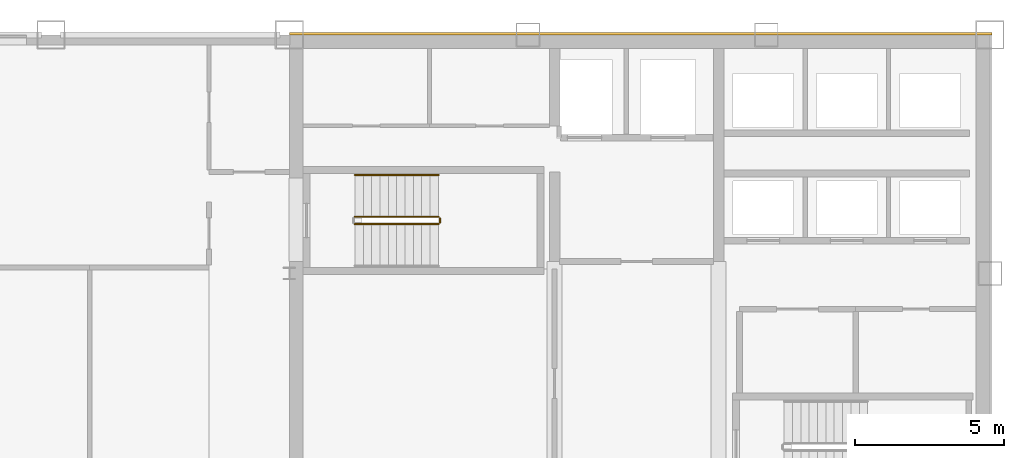
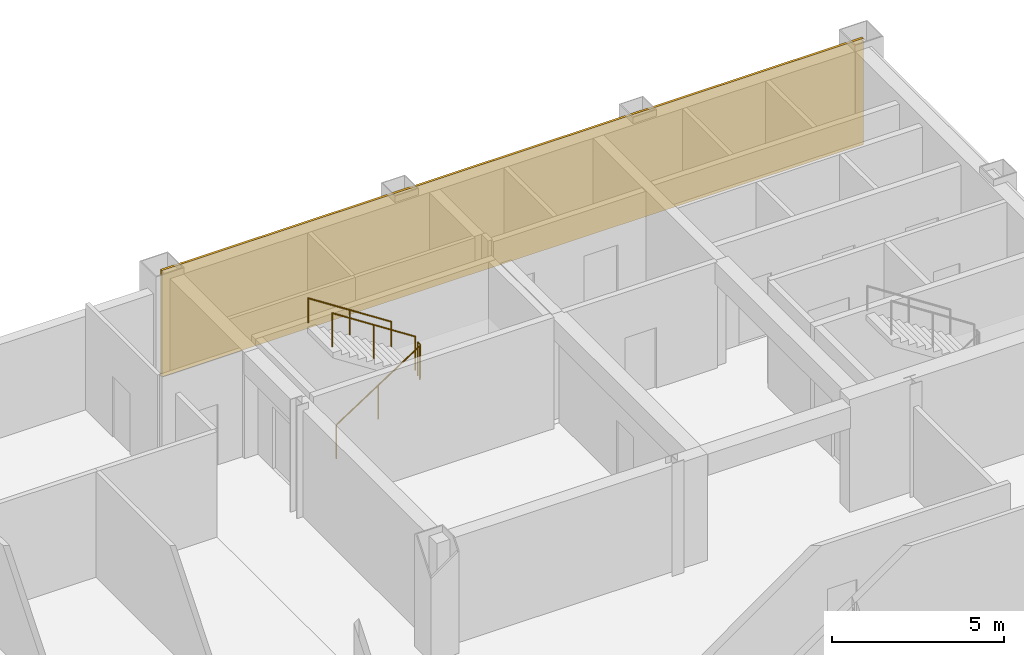
# One storey, part 11 of 11: 4 railings, 1 covering.
"""IFC4 building model written with IfcOpenShell, lengths in metres."""

from ifc_helpers import new_model, si_unit, direction, frame, origin, origin_2d, place, context, subcontext, project, spatial, rectangle, circle, extrude, material, layer, layer_set, type_object, element, save


model = new_model("IFC4")

# Units and contexts
model_context = context("Model", 3, precision=1e-05, world=origin(), true_north=direction((0.0, 1.0)))
body_context = subcontext(model_context, "Body", "Model", "MODEL_VIEW")
ifc_project = project(units=[si_unit("LENGTHUNIT", "METRE"), si_unit("AREAUNIT", "SQUARE_METRE"), si_unit("VOLUMEUNIT", "CUBIC_METRE"), si_unit("PLANEANGLEUNIT", "RADIAN"), si_unit("MASSUNIT", "GRAM", prefix="KILO")], contexts=[model_context])

# Site, building, storey
site_placement = place(None, origin())
site = spatial("IfcSite", under=ifc_project, at=site_placement, CompositionType="ELEMENT")
building_placement = place(site_placement, origin())
building = spatial("IfcBuilding", under=site, at=building_placement, Name="Qianrong Seaharbour Tower", CompositionType="ELEMENT")
storey_placement = place(building_placement, frame((0.0, 0.0, 265.800048828125)))
storey = spatial("IfcBuildingStorey", under=building, at=storey_placement, Name="L64", CompositionType="ELEMENT", Elevation=265.800048828125)

# Covering
ifc_material_1 = material(Name="Unitised red brick cladding on Precast concrete C45/55", Category="masonry")
ifc_layer = layer(ifc_material_1, 0.080078125)
ifc_layer_set = layer_set([ifc_layer], Name="Unitised red brick cladding on Precast concrete C45/55")
covering_type = type_object("IfcCoveringType", Name="COV-CLAD-RED-BRICK-80", PredefinedType="CLADDING", material=ifc_layer_set)
covering_placement = place(storey_placement, frame((52.2900390625, 52.0400390625, 0.0), z_axis=(0.0, 0.0, 1.0), x_axis=(1.0, 0.0, 0.0)))
element("IfcCovering", 1, at=covering_placement, inside=storey, type_object=covering_type, Name="L64 North Core Brick Veneer Cladding", PredefinedType="CLADDING", context=body_context, shape_type="SweptSolid", body=[
    extrude(rectangle(XDim=23.580078125, YDim=0.080078125, at=origin_2d()), origin(), (0.0, 0.0, 1.0), 3.77490234375),
])

# Railings
ifc_material_2 = material(Name="Galvanized painted steel SN400B stair guard", Category="steel")
railing_type_1 = type_object("IfcRailingType", Name="RAIL-STAIR-GUARD-1220", PredefinedType="GUARDRAIL", material=ifc_material_2)
railing_1_placement = place(storey_placement, frame((42.699951171875, 45.64990234375, 0.181884765625)))
element("IfcRailing", 2, at=railing_1_placement, inside=storey, type_object=railing_type_1, Name="L64 ST-1 stair guard 1", PredefinedType="GUARDRAIL", context=body_context, shape_type="SweptSolid", body=[
    extrude(circle(Radius=0.02392578125, at=origin_2d()), frame((0.0, 0.0, 1.19580078125), z_axis=(0.838705829183, 0.0, 0.544584733623), x_axis=(0.0, 1.0, 0.0)), (0.0, 0.0, 1.0), 3.338623046875),
    extrude(circle(Radius=0.02099609375, at=origin_2d()), origin(), (0.0, 0.0, 1.0), 1.171875),
    extrude(circle(Radius=0.02099609375, at=origin_2d()), frame((1.39990234375, 0.0, 0.9091796875)), (0.0, 0.0, 1.0), 1.171875),
    extrude(circle(Radius=0.02099609375, at=origin_2d()), frame((2.800048828125, 0.0, 1.818115234375)), (0.0, 0.0, 1.0), 1.171875),
])
railing_2_placement = place(storey_placement, frame((45.550048828125, 45.699951171875, 2.0)))
element("IfcRailing", 3, at=railing_2_placement, inside=storey, type_object=railing_type_1, Name="L64 ST-1 stair guard 2", PredefinedType="GUARDRAIL", context=body_context, shape_type="SweptSolid", body=[
    extrude(circle(Radius=0.02392578125, at=origin_2d()), frame((0.0, 0.0, 1.19580078125), z_axis=(0.0, 1.0, 0.0), x_axis=(-1.0, 0.0, 0.0)), (0.0, 0.0, 1.0), 0.150146484375),
    extrude(circle(Radius=0.02099609375, at=origin_2d()), origin(), (0.0, 0.0, 1.0), 1.171875),
    extrude(circle(Radius=0.02099609375, at=origin_2d()), frame((0.0, 0.150146484375, 0.0)), (0.0, 0.0, 1.0), 1.171875),
])
railing_3_placement = place(storey_placement, frame((45.5, 45.89990234375, 2.181884765625)))
element("IfcRailing", 4, at=railing_3_placement, inside=storey, type_object=railing_type_1, Name="L64 ST-1 stair guard 3", PredefinedType="GUARDRAIL", context=body_context, shape_type="SweptSolid", body=[
    extrude(circle(Radius=0.02392578125, at=origin_2d()), frame((0.0, 0.0, 1.19580078125), z_axis=(-0.838705829183, 0.0, 0.544584733623), x_axis=(0.0, -1.0, 0.0)), (0.0, 0.0, 1.0), 3.338623046875),
    extrude(circle(Radius=0.02099609375, at=origin_2d()), origin(), (0.0, 0.0, 1.0), 1.171875),
    extrude(circle(Radius=0.02099609375, at=origin_2d()), frame((-1.39990234375, 0.0, 0.9091796875)), (0.0, 0.0, 1.0), 1.171875),
    extrude(circle(Radius=0.02099609375, at=origin_2d()), frame((-2.800048828125, 0.0, 1.818115234375)), (0.0, 0.0, 1.0), 1.171875),
])
ifc_material_3 = material(Name="Stainless steel SUS316L continuous handrail", Category="steel")
railing_type_2 = type_object("IfcRailingType", Name="RAIL-STAIR-HANDRAIL-900", PredefinedType="HANDRAIL", material=ifc_material_3)
railing_4_placement = place(storey_placement, frame((45.5, 47.300048828125, 2.181884765625)))
element("IfcRailing", 5, at=railing_4_placement, inside=storey, type_object=railing_type_2, Name="L64 ST-1 stair handrail 2", PredefinedType="HANDRAIL", context=body_context, shape_type="SweptSolid", body=[
    extrude(circle(Radius=0.02392578125, at=origin_2d()), frame((0.0, 0.0, 0.8759765625), z_axis=(-0.838705829183, 0.0, 0.544584733623), x_axis=(0.0, -1.0, 0.0)), (0.0, 0.0, 1.0), 3.338623046875),
    extrude(circle(Radius=0.02099609375, at=origin_2d()), origin(), (0.0, 0.0, 1.0), 0.851806640625),
    extrude(circle(Radius=0.02099609375, at=origin_2d()), frame((-1.39990234375, 0.0, 0.9091796875)), (0.0, 0.0, 1.0), 0.851806640625),
    extrude(circle(Radius=0.02099609375, at=origin_2d()), frame((-2.800048828125, 0.0, 1.818115234375)), (0.0, 0.0, 1.0), 0.851806640625),
])

save(model, "model.ifc")
